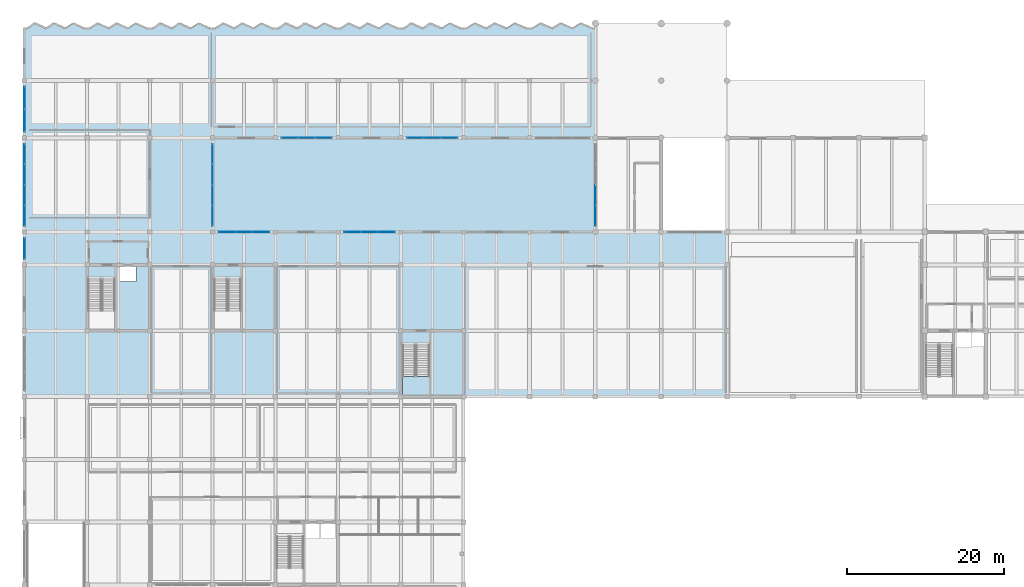
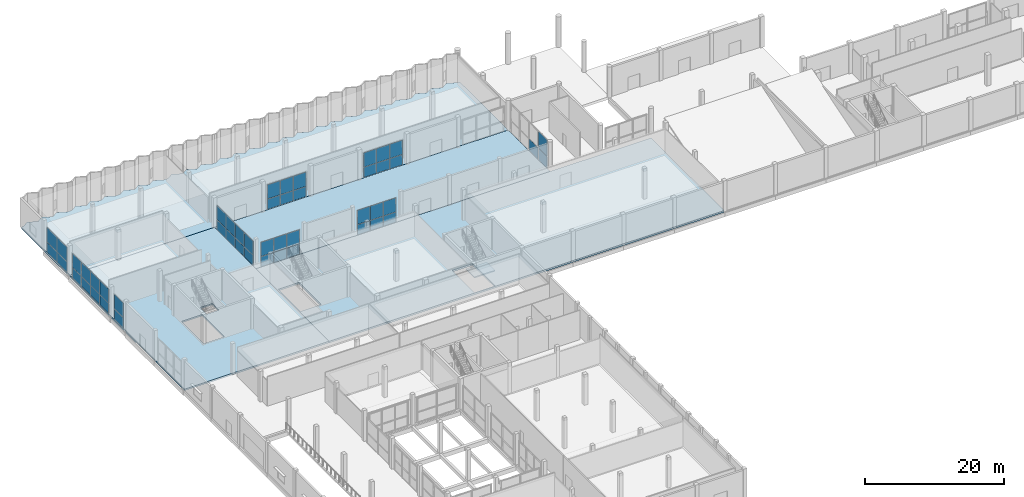
# One storey, part 21 of 41: 49 plates, 5 slabs, 10 elements without a shape of their own.
"""IFC4 building model written with IfcOpenShell, lengths in metres."""

from ifc_helpers import new_model, si_unit, direction, frame, origin, origin_2d, place, context, subcontext, project, spatial, polyline, rectangle, outline, extrude, material, layer, layer_set, type_object, element, aggregate, save


model = new_model("IFC4")

# Units and contexts
model_context = context("Model", 3, precision=1e-05, world=origin(), true_north=direction((0.0, 1.0)))
body_context = subcontext(model_context, "Body", "Model", "MODEL_VIEW")
ifc_project = project(units=[si_unit("LENGTHUNIT", "METRE"), si_unit("AREAUNIT", "SQUARE_METRE"), si_unit("VOLUMEUNIT", "CUBIC_METRE"), si_unit("PLANEANGLEUNIT", "RADIAN"), si_unit("MASSUNIT", "GRAM", prefix="KILO")], contexts=[model_context])

# Site, building, storey
site_placement = place(None, origin())
site = spatial("IfcSite", under=ifc_project, at=site_placement, CompositionType="ELEMENT")
building_placement = place(site_placement, origin())
building = spatial("IfcBuilding", under=site, at=building_placement, Name="Vharandega Faculty of Natural Sciences", CompositionType="ELEMENT")
storey_placement = place(building_placement, origin())
storey = spatial("IfcBuildingStorey", under=building, at=storey_placement, Name="L00", CompositionType="ELEMENT", Elevation=0.0)

# Curtain wall, plates
ifc_material_1 = material(Name="Aluminium and solar-control glass curtain wall", Category="aluminium")
curtain_wall_type_1 = type_object("IfcCurtainWallType", Name="Unitised Curtain Wall System CW-07", PredefinedType="NOTDEFINED", material=ifc_material_1)
curtain_wall_1_placement = place(storey_placement, origin())
curtain_wall_1 = element("IfcCurtainWall", 1, at=curtain_wall_1_placement, inside=storey, type_object=curtain_wall_type_1, Name="Curtain Wall CW-L00-034", PredefinedType="NOTDEFINED")
ifc_material_2 = material(Name="Double-glazed low-E solar glass", Category="glass")
ifc_layer_1 = layer(ifc_material_2, 0.028076171875, Name="Double-glazed low-E solar glass")
ifc_layer_set_1 = layer_set([ifc_layer_1], Name="Double-glazed low-E solar glass")
plate_type = type_object("IfcPlateType", Name="CW Solar Vision Panel 28mm", PredefinedType="CURTAIN_PANEL", material=ifc_layer_set_1)
plate_1_placement = place(storey_placement, frame((0.0, 82.89990234375, 0.06494140625), z_axis=(0.0, 0.0, 1.0), x_axis=(0.0, 1.0, 0.0)))
plate_1 = element("IfcPlate", 2, at=plate_1_placement, type_object=plate_type, Name="CW-07 panel 1.1", PredefinedType="CURTAIN_PANEL", context=body_context, shape_type="SweptSolid", body=[
    extrude(rectangle(XDim=2.580078125, YDim=0.028076171875, at=origin_2d()), origin(), (0.0, 0.0, 1.0), 1.788330078125),
])
plate_2_placement = place(storey_placement, frame((0.0, 82.89990234375, 1.91845703125), z_axis=(0.0, 0.0, 1.0), x_axis=(0.0, 1.0, 0.0)))
plate_2 = element("IfcPlate", 3, at=plate_2_placement, type_object=plate_type, Name="CW-07 panel 1.2", PredefinedType="CURTAIN_PANEL", context=body_context, shape_type="SweptSolid", body=[
    extrude(rectangle(XDim=2.580078125, YDim=0.028076171875, at=origin_2d()), origin(), (0.0, 0.0, 1.0), 2.506591796875),
])
aggregate(curtain_wall_1, [plate_1, plate_2])

ifc_material_3 = material(Name="Aluminium and solar-control glass curtain wall", Category="aluminium")
curtain_wall_type_2 = type_object("IfcCurtainWallType", Name="Unitised Curtain Wall System CW-08", PredefinedType="NOTDEFINED", material=ifc_material_3)
curtain_wall_2_placement = place(storey_placement, origin())
curtain_wall_2 = element("IfcCurtainWall", 4, at=curtain_wall_2_placement, inside=storey, type_object=curtain_wall_type_2, Name="Curtain Wall CW-L00-035", PredefinedType="NOTDEFINED")
plate_3_placement = place(storey_placement, frame((0.0, 87.072509765625, 0.06494140625), z_axis=(0.0, 0.0, 1.0), x_axis=(0.0, 1.0, 0.0)))
plate_3 = element("IfcPlate", 5, at=plate_3_placement, type_object=plate_type, Name="CW-08 panel 1.1", PredefinedType="CURTAIN_PANEL", context=body_context, shape_type="SweptSolid", body=[
    extrude(rectangle(XDim=2.52490234375, YDim=0.028076171875, at=origin_2d()), origin(), (0.0, 0.0, 1.0), 1.746337890625),
])
plate_4_placement = place(storey_placement, frame((0.0, 87.072509765625, 1.876220703125), z_axis=(0.0, 0.0, 1.0), x_axis=(0.0, 1.0, 0.0)))
plate_4 = element("IfcPlate", 6, at=plate_4_placement, type_object=plate_type, Name="CW-08 panel 1.2", PredefinedType="CURTAIN_PANEL", context=body_context, shape_type="SweptSolid", body=[
    extrude(rectangle(XDim=2.52490234375, YDim=0.028076171875, at=origin_2d()), origin(), (0.0, 0.0, 1.0), 2.44873046875),
])
plate_5_placement = place(storey_placement, frame((0.0, 89.68505859375, 0.06494140625), z_axis=(0.0, 0.0, 1.0), x_axis=(0.0, 1.0, 0.0)))
plate_5 = element("IfcPlate", 7, at=plate_5_placement, type_object=plate_type, Name="CW-08 panel 2.1", PredefinedType="CURTAIN_PANEL", context=body_context, shape_type="SweptSolid", body=[
    extrude(rectangle(XDim=2.56005859375, YDim=0.028076171875, at=origin_2d()), origin(), (0.0, 0.0, 1.0), 1.746337890625),
])
plate_6_placement = place(storey_placement, frame((0.0, 89.68505859375, 1.876220703125), z_axis=(0.0, 0.0, 1.0), x_axis=(0.0, 1.0, 0.0)))
plate_6 = element("IfcPlate", 8, at=plate_6_placement, type_object=plate_type, Name="CW-08 panel 2.2", PredefinedType="CURTAIN_PANEL", context=body_context, shape_type="SweptSolid", body=[
    extrude(rectangle(XDim=2.56005859375, YDim=0.028076171875, at=origin_2d()), origin(), (0.0, 0.0, 1.0), 2.44873046875),
])
plate_7_placement = place(storey_placement, frame((0.0, 92.31494140625, 0.06494140625), z_axis=(0.0, 0.0, 1.0), x_axis=(0.0, 1.0, 0.0)))
plate_7 = element("IfcPlate", 9, at=plate_7_placement, type_object=plate_type, Name="CW-08 panel 3.1", PredefinedType="CURTAIN_PANEL", context=body_context, shape_type="SweptSolid", body=[
    extrude(rectangle(XDim=2.56005859375, YDim=0.028076171875, at=origin_2d()), origin(), (0.0, 0.0, 1.0), 1.746337890625),
])
plate_8_placement = place(storey_placement, frame((0.0, 92.31494140625, 1.876220703125), z_axis=(0.0, 0.0, 1.0), x_axis=(0.0, 1.0, 0.0)))
plate_8 = element("IfcPlate", 10, at=plate_8_placement, type_object=plate_type, Name="CW-08 panel 3.2", PredefinedType="CURTAIN_PANEL", context=body_context, shape_type="SweptSolid", body=[
    extrude(rectangle(XDim=2.56005859375, YDim=0.028076171875, at=origin_2d()), origin(), (0.0, 0.0, 1.0), 2.44873046875),
])
plate_9_placement = place(storey_placement, frame((0.0, 94.927490234375, 0.06494140625), z_axis=(0.0, 0.0, 1.0), x_axis=(0.0, 1.0, 0.0)))
plate_9 = element("IfcPlate", 11, at=plate_9_placement, type_object=plate_type, Name="CW-08 panel 4.1", PredefinedType="CURTAIN_PANEL", context=body_context, shape_type="SweptSolid", body=[
    extrude(rectangle(XDim=2.52490234375, YDim=0.028076171875, at=origin_2d()), origin(), (0.0, 0.0, 1.0), 1.746337890625),
])
plate_10_placement = place(storey_placement, frame((0.0, 94.927490234375, 1.876220703125), z_axis=(0.0, 0.0, 1.0), x_axis=(0.0, 1.0, 0.0)))
plate_10 = element("IfcPlate", 12, at=plate_10_placement, type_object=plate_type, Name="CW-08 panel 4.2", PredefinedType="CURTAIN_PANEL", context=body_context, shape_type="SweptSolid", body=[
    extrude(rectangle(XDim=2.52490234375, YDim=0.028076171875, at=origin_2d()), origin(), (0.0, 0.0, 1.0), 2.44873046875),
])
aggregate(curtain_wall_2, [plate_3, plate_4, plate_5, plate_6, plate_7, plate_8, plate_9, plate_10])

ifc_material_4 = material(Name="Aluminium and solar-control glass curtain wall", Category="aluminium")
curtain_wall_type_3 = type_object("IfcCurtainWallType", Name="Unitised Curtain Wall System CW-09", PredefinedType="NOTDEFINED", material=ifc_material_4)
curtain_wall_3_placement = place(storey_placement, origin())
curtain_wall_3 = element("IfcCurtainWall", 13, at=curtain_wall_3_placement, inside=storey, type_object=curtain_wall_type_3, Name="Curtain Wall CW-L00-036", PredefinedType="NOTDEFINED")
plate_11_placement = place(storey_placement, frame((0.0, 99.21240234375, 0.06494140625), z_axis=(0.0, 0.0, 1.0), x_axis=(0.0, 1.0, 0.0)))
plate_11 = element("IfcPlate", 14, at=plate_11_placement, type_object=plate_type, Name="CW-09 panel 1.1", PredefinedType="CURTAIN_PANEL", context=body_context, shape_type="SweptSolid", body=[
    extrude(rectangle(XDim=2.804931640625, YDim=0.028076171875, at=origin_2d()), origin(), (0.0, 0.0, 1.0), 1.788330078125),
])
plate_12_placement = place(storey_placement, frame((0.0, 99.21240234375, 1.91845703125), z_axis=(0.0, 0.0, 1.0), x_axis=(0.0, 1.0, 0.0)))
plate_12 = element("IfcPlate", 15, at=plate_12_placement, type_object=plate_type, Name="CW-09 panel 1.2", PredefinedType="CURTAIN_PANEL", context=body_context, shape_type="SweptSolid", body=[
    extrude(rectangle(XDim=2.804931640625, YDim=0.028076171875, at=origin_2d()), origin(), (0.0, 0.0, 1.0), 2.506591796875),
])
plate_13_placement = place(storey_placement, frame((0.0, 102.08740234375, 0.06494140625), z_axis=(0.0, 0.0, 1.0), x_axis=(0.0, 1.0, 0.0)))
plate_13 = element("IfcPlate", 16, at=plate_13_placement, type_object=plate_type, Name="CW-09 panel 2.1", PredefinedType="CURTAIN_PANEL", context=body_context, shape_type="SweptSolid", body=[
    extrude(rectangle(XDim=2.804931640625, YDim=0.028076171875, at=origin_2d()), origin(), (0.0, 0.0, 1.0), 1.788330078125),
])
plate_14_placement = place(storey_placement, frame((0.0, 102.08740234375, 1.91845703125), z_axis=(0.0, 0.0, 1.0), x_axis=(0.0, 1.0, 0.0)))
plate_14 = element("IfcPlate", 17, at=plate_14_placement, type_object=plate_type, Name="CW-09 panel 2.2", PredefinedType="CURTAIN_PANEL", context=body_context, shape_type="SweptSolid", body=[
    extrude(rectangle(XDim=2.804931640625, YDim=0.028076171875, at=origin_2d()), origin(), (0.0, 0.0, 1.0), 2.506591796875),
])
aggregate(curtain_wall_3, [plate_11, plate_12, plate_13, plate_14])

ifc_material_5 = material(Name="Aluminium and solar-control glass curtain wall", Category="aluminium")
curtain_wall_type_4 = type_object("IfcCurtainWallType", Name="Unitised Curtain Wall System CW-10", PredefinedType="NOTDEFINED", material=ifc_material_5)
curtain_wall_4_placement = place(storey_placement, origin())
curtain_wall_4 = element("IfcCurtainWall", 18, at=curtain_wall_4_placement, inside=storey, type_object=curtain_wall_type_4, Name="Curtain Wall CW-L00-037", PredefinedType="NOTDEFINED")
plate_15_placement = place(storey_placement, frame((33.84423828125, 97.0, 0.06494140625), z_axis=(0.0, 0.0, 1.0), x_axis=(1.0, 0.0, 0.0)))
plate_15 = element("IfcPlate", 19, at=plate_15_placement, type_object=plate_type, Name="CW-10 panel 1.1", PredefinedType="CURTAIN_PANEL", context=body_context, shape_type="SweptSolid", body=[
    extrude(rectangle(XDim=2.068359375, YDim=0.028076171875, at=origin_2d()), origin(), (0.0, 0.0, 1.0), 1.767333984375),
])
plate_16_placement = place(storey_placement, frame((33.84423828125, 97.0, 1.8974609375), z_axis=(0.0, 0.0, 1.0), x_axis=(1.0, 0.0, 0.0)))
plate_16 = element("IfcPlate", 20, at=plate_16_placement, type_object=plate_type, Name="CW-10 panel 1.2", PredefinedType="CURTAIN_PANEL", context=body_context, shape_type="SweptSolid", body=[
    extrude(rectangle(XDim=2.068359375, YDim=0.028076171875, at=origin_2d()), origin(), (0.0, 0.0, 1.0), 2.477783203125),
])
plate_17_placement = place(storey_placement, frame((36.0, 97.0, 0.06494140625), z_axis=(0.0, 0.0, 1.0), x_axis=(1.0, 0.0, 0.0)))
plate_17 = element("IfcPlate", 21, at=plate_17_placement, type_object=plate_type, Name="CW-10 panel 2.1", PredefinedType="CURTAIN_PANEL", context=body_context, shape_type="SweptSolid", body=[
    extrude(rectangle(XDim=2.103271484375, YDim=0.028076171875, at=origin_2d()), origin(), (0.0, 0.0, 1.0), 1.767333984375),
])
plate_18_placement = place(storey_placement, frame((36.0, 97.0, 1.8974609375), z_axis=(0.0, 0.0, 1.0), x_axis=(1.0, 0.0, 0.0)))
plate_18 = element("IfcPlate", 22, at=plate_18_placement, type_object=plate_type, Name="CW-10 panel 2.2", PredefinedType="CURTAIN_PANEL", context=body_context, shape_type="SweptSolid", body=[
    extrude(rectangle(XDim=2.103271484375, YDim=0.028076171875, at=origin_2d()), origin(), (0.0, 0.0, 1.0), 2.477783203125),
])
plate_19_placement = place(storey_placement, frame((38.15576171875, 97.0, 0.06494140625), z_axis=(0.0, 0.0, 1.0), x_axis=(1.0, 0.0, 0.0)))
plate_19 = element("IfcPlate", 23, at=plate_19_placement, type_object=plate_type, Name="CW-10 panel 3.1", PredefinedType="CURTAIN_PANEL", context=body_context, shape_type="SweptSolid", body=[
    extrude(rectangle(XDim=2.068359375, YDim=0.028076171875, at=origin_2d()), origin(), (0.0, 0.0, 1.0), 1.767333984375),
])
plate_20_placement = place(storey_placement, frame((38.15576171875, 97.0, 1.8974609375), z_axis=(0.0, 0.0, 1.0), x_axis=(1.0, 0.0, 0.0)))
plate_20 = element("IfcPlate", 24, at=plate_20_placement, type_object=plate_type, Name="CW-10 panel 3.2", PredefinedType="CURTAIN_PANEL", context=body_context, shape_type="SweptSolid", body=[
    extrude(rectangle(XDim=2.068359375, YDim=0.028076171875, at=origin_2d()), origin(), (0.0, 0.0, 1.0), 2.477783203125),
])
aggregate(curtain_wall_4, [plate_15, plate_16, plate_17, plate_18, plate_19, plate_20])

ifc_material_6 = material(Name="Aluminium and solar-control glass curtain wall", Category="aluminium")
curtain_wall_type_5 = type_object("IfcCurtainWallType", Name="Unitised Curtain Wall System CW-11", PredefinedType="NOTDEFINED", material=ifc_material_6)
curtain_wall_5_placement = place(storey_placement, origin())
curtain_wall_5 = element("IfcCurtainWall", 25, at=curtain_wall_5_placement, inside=storey, type_object=curtain_wall_type_5, Name="Curtain Wall CW-L00-038", PredefinedType="NOTDEFINED")
plate_21_placement = place(storey_placement, frame((49.84423828125, 97.0, 0.06494140625), z_axis=(0.0, 0.0, 1.0), x_axis=(1.0, 0.0, 0.0)))
plate_21 = element("IfcPlate", 26, at=plate_21_placement, type_object=plate_type, Name="CW-11 panel 1.1", PredefinedType="CURTAIN_PANEL", context=body_context, shape_type="SweptSolid", body=[
    extrude(rectangle(XDim=2.068359375, YDim=0.028076171875, at=origin_2d()), origin(), (0.0, 0.0, 1.0), 1.767333984375),
])
plate_22_placement = place(storey_placement, frame((49.84423828125, 97.0, 1.8974609375), z_axis=(0.0, 0.0, 1.0), x_axis=(1.0, 0.0, 0.0)))
plate_22 = element("IfcPlate", 27, at=plate_22_placement, type_object=plate_type, Name="CW-11 panel 1.2", PredefinedType="CURTAIN_PANEL", context=body_context, shape_type="SweptSolid", body=[
    extrude(rectangle(XDim=2.068359375, YDim=0.028076171875, at=origin_2d()), origin(), (0.0, 0.0, 1.0), 2.477783203125),
])
plate_23_placement = place(storey_placement, frame((52.0, 97.0, 0.06494140625), z_axis=(0.0, 0.0, 1.0), x_axis=(1.0, 0.0, 0.0)))
plate_23 = element("IfcPlate", 28, at=plate_23_placement, type_object=plate_type, Name="CW-11 panel 2.1", PredefinedType="CURTAIN_PANEL", context=body_context, shape_type="SweptSolid", body=[
    extrude(rectangle(XDim=2.103271484375, YDim=0.028076171875, at=origin_2d()), origin(), (0.0, 0.0, 1.0), 1.767333984375),
])
plate_24_placement = place(storey_placement, frame((52.0, 97.0, 1.8974609375), z_axis=(0.0, 0.0, 1.0), x_axis=(1.0, 0.0, 0.0)))
plate_24 = element("IfcPlate", 29, at=plate_24_placement, type_object=plate_type, Name="CW-11 panel 2.2", PredefinedType="CURTAIN_PANEL", context=body_context, shape_type="SweptSolid", body=[
    extrude(rectangle(XDim=2.103271484375, YDim=0.028076171875, at=origin_2d()), origin(), (0.0, 0.0, 1.0), 2.477783203125),
])
plate_25_placement = place(storey_placement, frame((54.15576171875, 97.0, 0.06494140625), z_axis=(0.0, 0.0, 1.0), x_axis=(1.0, 0.0, 0.0)))
plate_25 = element("IfcPlate", 30, at=plate_25_placement, type_object=plate_type, Name="CW-11 panel 3.1", PredefinedType="CURTAIN_PANEL", context=body_context, shape_type="SweptSolid", body=[
    extrude(rectangle(XDim=2.068359375, YDim=0.028076171875, at=origin_2d()), origin(), (0.0, 0.0, 1.0), 1.767333984375),
])
plate_26_placement = place(storey_placement, frame((54.15576171875, 97.0, 1.8974609375), z_axis=(0.0, 0.0, 1.0), x_axis=(1.0, 0.0, 0.0)))
plate_26 = element("IfcPlate", 31, at=plate_26_placement, type_object=plate_type, Name="CW-11 panel 3.2", PredefinedType="CURTAIN_PANEL", context=body_context, shape_type="SweptSolid", body=[
    extrude(rectangle(XDim=2.068359375, YDim=0.028076171875, at=origin_2d()), origin(), (0.0, 0.0, 1.0), 2.477783203125),
])
aggregate(curtain_wall_5, [plate_21, plate_22, plate_23, plate_24, plate_25, plate_26])

ifc_material_7 = material(Name="Aluminium and solar-control glass curtain wall", Category="aluminium")
curtain_wall_type_6 = type_object("IfcCurtainWallType", Name="Unitised Curtain Wall System CW-13", PredefinedType="NOTDEFINED", material=ifc_material_7)
curtain_wall_6_placement = place(storey_placement, origin())
curtain_wall_6 = element("IfcCurtainWall", 32, at=curtain_wall_6_placement, inside=storey, type_object=curtain_wall_type_6, Name="Curtain Wall CW-L00-040", PredefinedType="NOTDEFINED")
plate_27_placement = place(storey_placement, frame((24.0, 87.072509765625, 0.06494140625), z_axis=(0.0, 0.0, 1.0), x_axis=(0.0, 1.0, 0.0)))
plate_27 = element("IfcPlate", 33, at=plate_27_placement, type_object=plate_type, Name="CW-13 panel 1.1", PredefinedType="CURTAIN_PANEL", context=body_context, shape_type="SweptSolid", body=[
    extrude(rectangle(XDim=2.52490234375, YDim=0.028076171875, at=origin_2d()), origin(), (0.0, 0.0, 1.0), 1.746337890625),
])
plate_28_placement = place(storey_placement, frame((24.0, 87.072509765625, 1.876220703125), z_axis=(0.0, 0.0, 1.0), x_axis=(0.0, 1.0, 0.0)))
plate_28 = element("IfcPlate", 34, at=plate_28_placement, type_object=plate_type, Name="CW-13 panel 1.2", PredefinedType="CURTAIN_PANEL", context=body_context, shape_type="SweptSolid", body=[
    extrude(rectangle(XDim=2.52490234375, YDim=0.028076171875, at=origin_2d()), origin(), (0.0, 0.0, 1.0), 2.44873046875),
])
plate_29_placement = place(storey_placement, frame((24.0, 89.68505859375, 0.06494140625), z_axis=(0.0, 0.0, 1.0), x_axis=(0.0, 1.0, 0.0)))
plate_29 = element("IfcPlate", 35, at=plate_29_placement, type_object=plate_type, Name="CW-13 panel 2.1", PredefinedType="CURTAIN_PANEL", context=body_context, shape_type="SweptSolid", body=[
    extrude(rectangle(XDim=2.56005859375, YDim=0.028076171875, at=origin_2d()), origin(), (0.0, 0.0, 1.0), 1.746337890625),
])
plate_30_placement = place(storey_placement, frame((24.0, 89.68505859375, 1.876220703125), z_axis=(0.0, 0.0, 1.0), x_axis=(0.0, 1.0, 0.0)))
plate_30 = element("IfcPlate", 36, at=plate_30_placement, type_object=plate_type, Name="CW-13 panel 2.2", PredefinedType="CURTAIN_PANEL", context=body_context, shape_type="SweptSolid", body=[
    extrude(rectangle(XDim=2.56005859375, YDim=0.028076171875, at=origin_2d()), origin(), (0.0, 0.0, 1.0), 2.44873046875),
])
plate_31_placement = place(storey_placement, frame((24.0, 92.31494140625, 0.06494140625), z_axis=(0.0, 0.0, 1.0), x_axis=(0.0, 1.0, 0.0)))
plate_31 = element("IfcPlate", 37, at=plate_31_placement, type_object=plate_type, Name="CW-13 panel 3.1", PredefinedType="CURTAIN_PANEL", context=body_context, shape_type="SweptSolid", body=[
    extrude(rectangle(XDim=2.56005859375, YDim=0.028076171875, at=origin_2d()), origin(), (0.0, 0.0, 1.0), 1.746337890625),
])
plate_32_placement = place(storey_placement, frame((24.0, 92.31494140625, 1.876220703125), z_axis=(0.0, 0.0, 1.0), x_axis=(0.0, 1.0, 0.0)))
plate_32 = element("IfcPlate", 38, at=plate_32_placement, type_object=plate_type, Name="CW-13 panel 3.2", PredefinedType="CURTAIN_PANEL", context=body_context, shape_type="SweptSolid", body=[
    extrude(rectangle(XDim=2.56005859375, YDim=0.028076171875, at=origin_2d()), origin(), (0.0, 0.0, 1.0), 2.44873046875),
])
plate_33_placement = place(storey_placement, frame((24.0, 94.927490234375, 0.06494140625), z_axis=(0.0, 0.0, 1.0), x_axis=(0.0, 1.0, 0.0)))
plate_33 = element("IfcPlate", 39, at=plate_33_placement, type_object=plate_type, Name="CW-13 panel 4.1", PredefinedType="CURTAIN_PANEL", context=body_context, shape_type="SweptSolid", body=[
    extrude(rectangle(XDim=2.52490234375, YDim=0.028076171875, at=origin_2d()), origin(), (0.0, 0.0, 1.0), 1.746337890625),
])
plate_34_placement = place(storey_placement, frame((24.0, 94.927490234375, 1.876220703125), z_axis=(0.0, 0.0, 1.0), x_axis=(0.0, 1.0, 0.0)))
plate_34 = element("IfcPlate", 40, at=plate_34_placement, type_object=plate_type, Name="CW-13 panel 4.2", PredefinedType="CURTAIN_PANEL", context=body_context, shape_type="SweptSolid", body=[
    extrude(rectangle(XDim=2.52490234375, YDim=0.028076171875, at=origin_2d()), origin(), (0.0, 0.0, 1.0), 2.44873046875),
])
aggregate(curtain_wall_6, [plate_27, plate_28, plate_29, plate_30, plate_31, plate_32, plate_33, plate_34])

ifc_material_8 = material(Name="Aluminium and solar-control glass curtain wall", Category="aluminium")
curtain_wall_type_7 = type_object("IfcCurtainWallType", Name="Unitised Curtain Wall System CW-19", PredefinedType="NOTDEFINED", material=ifc_material_8)
curtain_wall_7_placement = place(storey_placement, origin())
curtain_wall_7 = element("IfcCurtainWall", 41, at=curtain_wall_7_placement, inside=storey, type_object=curtain_wall_type_7, Name="Curtain Wall CW-L00-074", PredefinedType="NOTDEFINED")
plate_35_placement = place(storey_placement, frame((72.800048828125, 87.072509765625, 0.06494140625), z_axis=(0.0, 0.0, 1.0), x_axis=(0.0, 1.0, 0.0)))
plate_35 = element("IfcPlate", 42, at=plate_35_placement, type_object=plate_type, Name="CW-19 panel 1.1", PredefinedType="CURTAIN_PANEL", context=body_context, shape_type="SweptSolid", body=[
    extrude(rectangle(XDim=2.52490234375, YDim=0.028076171875, at=origin_2d()), origin(), (0.0, 0.0, 1.0), 2.04443359375),
])
plate_36_placement = place(storey_placement, frame((72.800048828125, 87.072509765625, 2.17431640625), z_axis=(0.0, 0.0, 1.0), x_axis=(0.0, 1.0, 0.0)))
plate_36 = element("IfcPlate", 43, at=plate_36_placement, type_object=plate_type, Name="CW-19 panel 1.2", PredefinedType="CURTAIN_PANEL", context=body_context, shape_type="SweptSolid", body=[
    extrude(rectangle(XDim=2.52490234375, YDim=0.028076171875, at=origin_2d()), origin(), (0.0, 0.0, 1.0), 2.860595703125),
])
plate_37_placement = place(storey_placement, frame((72.800048828125, 89.68505859375, 0.06494140625), z_axis=(0.0, 0.0, 1.0), x_axis=(0.0, 1.0, 0.0)))
plate_37 = element("IfcPlate", 44, at=plate_37_placement, type_object=plate_type, Name="CW-19 panel 2.1", PredefinedType="CURTAIN_PANEL", context=body_context, shape_type="SweptSolid", body=[
    extrude(rectangle(XDim=2.56005859375, YDim=0.028076171875, at=origin_2d()), origin(), (0.0, 0.0, 1.0), 2.04443359375),
])
aggregate(curtain_wall_7, [plate_35, plate_36, plate_37])

ifc_material_9 = material(Name="Aluminium and solar-control glass curtain wall", Category="aluminium")
curtain_wall_type_8 = type_object("IfcCurtainWallType", Name="Unitised Curtain Wall System CW-20", PredefinedType="NOTDEFINED", material=ifc_material_9)
curtain_wall_8_placement = place(storey_placement, origin())
curtain_wall_8 = element("IfcCurtainWall", 45, at=curtain_wall_8_placement, inside=storey, type_object=curtain_wall_type_8, Name="Curtain Wall CW-L00-075", PredefinedType="NOTDEFINED")
plate_38_placement = place(storey_placement, frame((25.84423828125, 85.0, 0.06494140625), z_axis=(0.0, 0.0, 1.0), x_axis=(1.0, 0.0, 0.0)))
plate_38 = element("IfcPlate", 46, at=plate_38_placement, type_object=plate_type, Name="CW-20 panel 1.1", PredefinedType="CURTAIN_PANEL", context=body_context, shape_type="SweptSolid", body=[
    extrude(rectangle(XDim=2.068359375, YDim=0.028076171875, at=origin_2d()), origin(), (0.0, 0.0, 1.0), 1.7587890625),
])
plate_39_placement = place(storey_placement, frame((25.84423828125, 85.0, 1.88916015625), z_axis=(0.0, 0.0, 1.0), x_axis=(1.0, 0.0, 0.0)))
plate_39 = element("IfcPlate", 47, at=plate_39_placement, type_object=plate_type, Name="CW-20 panel 1.2", PredefinedType="CURTAIN_PANEL", context=body_context, shape_type="SweptSolid", body=[
    extrude(rectangle(XDim=2.068359375, YDim=0.028076171875, at=origin_2d()), origin(), (0.0, 0.0, 1.0), 2.466064453125),
])
plate_40_placement = place(storey_placement, frame((28.0, 85.0, 0.06494140625), z_axis=(0.0, 0.0, 1.0), x_axis=(1.0, 0.0, 0.0)))
plate_40 = element("IfcPlate", 48, at=plate_40_placement, type_object=plate_type, Name="CW-20 panel 2.1", PredefinedType="CURTAIN_PANEL", context=body_context, shape_type="SweptSolid", body=[
    extrude(rectangle(XDim=2.103271484375, YDim=0.028076171875, at=origin_2d()), origin(), (0.0, 0.0, 1.0), 1.7587890625),
])
plate_41_placement = place(storey_placement, frame((28.0, 85.0, 1.88916015625), z_axis=(0.0, 0.0, 1.0), x_axis=(1.0, 0.0, 0.0)))
plate_41 = element("IfcPlate", 49, at=plate_41_placement, type_object=plate_type, Name="CW-20 panel 2.2", PredefinedType="CURTAIN_PANEL", context=body_context, shape_type="SweptSolid", body=[
    extrude(rectangle(XDim=2.103271484375, YDim=0.028076171875, at=origin_2d()), origin(), (0.0, 0.0, 1.0), 2.466064453125),
])
plate_42_placement = place(storey_placement, frame((30.15576171875, 85.0, 0.06494140625), z_axis=(0.0, 0.0, 1.0), x_axis=(1.0, 0.0, 0.0)))
plate_42 = element("IfcPlate", 50, at=plate_42_placement, type_object=plate_type, Name="CW-20 panel 3.1", PredefinedType="CURTAIN_PANEL", context=body_context, shape_type="SweptSolid", body=[
    extrude(rectangle(XDim=2.068359375, YDim=0.028076171875, at=origin_2d()), origin(), (0.0, 0.0, 1.0), 1.7587890625),
])
plate_43_placement = place(storey_placement, frame((30.15576171875, 85.0, 1.88916015625), z_axis=(0.0, 0.0, 1.0), x_axis=(1.0, 0.0, 0.0)))
plate_43 = element("IfcPlate", 51, at=plate_43_placement, type_object=plate_type, Name="CW-20 panel 3.2", PredefinedType="CURTAIN_PANEL", context=body_context, shape_type="SweptSolid", body=[
    extrude(rectangle(XDim=2.068359375, YDim=0.028076171875, at=origin_2d()), origin(), (0.0, 0.0, 1.0), 2.466064453125),
])
aggregate(curtain_wall_8, [plate_38, plate_39, plate_40, plate_41, plate_42, plate_43])

ifc_material_10 = material(Name="Aluminium and solar-control glass curtain wall", Category="aluminium")
curtain_wall_type_9 = type_object("IfcCurtainWallType", Name="Unitised Curtain Wall System CW-21", PredefinedType="NOTDEFINED", material=ifc_material_10)
curtain_wall_9_placement = place(storey_placement, origin())
curtain_wall_9 = element("IfcCurtainWall", 52, at=curtain_wall_9_placement, inside=storey, type_object=curtain_wall_type_9, Name="Curtain Wall CW-L00-076", PredefinedType="NOTDEFINED")
plate_44_placement = place(storey_placement, frame((41.84423828125, 85.0, 0.06494140625), z_axis=(0.0, 0.0, 1.0), x_axis=(1.0, 0.0, 0.0)))
plate_44 = element("IfcPlate", 53, at=plate_44_placement, type_object=plate_type, Name="CW-21 panel 1.1", PredefinedType="CURTAIN_PANEL", context=body_context, shape_type="SweptSolid", body=[
    extrude(rectangle(XDim=2.068359375, YDim=0.028076171875, at=origin_2d()), origin(), (0.0, 0.0, 1.0), 1.7587890625),
])
plate_45_placement = place(storey_placement, frame((41.84423828125, 85.0, 1.88916015625), z_axis=(0.0, 0.0, 1.0), x_axis=(1.0, 0.0, 0.0)))
plate_45 = element("IfcPlate", 54, at=plate_45_placement, type_object=plate_type, Name="CW-21 panel 1.2", PredefinedType="CURTAIN_PANEL", context=body_context, shape_type="SweptSolid", body=[
    extrude(rectangle(XDim=2.068359375, YDim=0.028076171875, at=origin_2d()), origin(), (0.0, 0.0, 1.0), 2.466064453125),
])
plate_46_placement = place(storey_placement, frame((44.0, 85.0, 0.06494140625), z_axis=(0.0, 0.0, 1.0), x_axis=(1.0, 0.0, 0.0)))
plate_46 = element("IfcPlate", 55, at=plate_46_placement, type_object=plate_type, Name="CW-21 panel 2.1", PredefinedType="CURTAIN_PANEL", context=body_context, shape_type="SweptSolid", body=[
    extrude(rectangle(XDim=2.103271484375, YDim=0.028076171875, at=origin_2d()), origin(), (0.0, 0.0, 1.0), 1.7587890625),
])
plate_47_placement = place(storey_placement, frame((44.0, 85.0, 1.88916015625), z_axis=(0.0, 0.0, 1.0), x_axis=(1.0, 0.0, 0.0)))
plate_47 = element("IfcPlate", 56, at=plate_47_placement, type_object=plate_type, Name="CW-21 panel 2.2", PredefinedType="CURTAIN_PANEL", context=body_context, shape_type="SweptSolid", body=[
    extrude(rectangle(XDim=2.103271484375, YDim=0.028076171875, at=origin_2d()), origin(), (0.0, 0.0, 1.0), 2.466064453125),
])
plate_48_placement = place(storey_placement, frame((46.15576171875, 85.0, 0.06494140625), z_axis=(0.0, 0.0, 1.0), x_axis=(1.0, 0.0, 0.0)))
plate_48 = element("IfcPlate", 57, at=plate_48_placement, type_object=plate_type, Name="CW-21 panel 3.1", PredefinedType="CURTAIN_PANEL", context=body_context, shape_type="SweptSolid", body=[
    extrude(rectangle(XDim=2.068359375, YDim=0.028076171875, at=origin_2d()), origin(), (0.0, 0.0, 1.0), 1.7587890625),
])
plate_49_placement = place(storey_placement, frame((46.15576171875, 85.0, 1.88916015625), z_axis=(0.0, 0.0, 1.0), x_axis=(1.0, 0.0, 0.0)))
plate_49 = element("IfcPlate", 58, at=plate_49_placement, type_object=plate_type, Name="CW-21 panel 3.2", PredefinedType="CURTAIN_PANEL", context=body_context, shape_type="SweptSolid", body=[
    extrude(rectangle(XDim=2.068359375, YDim=0.028076171875, at=origin_2d()), origin(), (0.0, 0.0, 1.0), 2.466064453125),
])
aggregate(curtain_wall_9, [plate_44, plate_45, plate_46, plate_47, plate_48, plate_49])

# Slabs
ifc_material_11 = material(Name="Concrete C35/45", Category="concrete")
ifc_layer_2 = layer(ifc_material_11, 0.449951171875, Name="Concrete C35/45")
ifc_layer_set_2 = layer_set([ifc_layer_2], Name="Concrete C35/45")
slab_type_1 = type_object("IfcSlabType", Name="SLAB-BASE-450", PredefinedType="BASESLAB", material=ifc_layer_set_2)
slab_1_placement = place(storey_placement, frame((0.0, 0.0, -0.449951171875)))
element("IfcSlab", 59, at=slab_1_placement, inside=storey, type_object=slab_type_1, Name="Ground Forecourt Paving APR-COURT", PredefinedType="BASESLAB", context=body_context, shape_type="SweptSolid", body=[
    extrude(outline(polyline([(24.0, 85.0), (72.800048828125, 85.0), (72.800048828125, 97.0), (24.0, 97.0), (24.0, 85.0)])), origin(), (0.0, 0.0, 1.0), 0.449951171875),
])
ifc_material_12 = material(Name="Concrete C40/50", Category="concrete")
ifc_layer_3 = layer(ifc_material_12, 0.280029296875, Name="Concrete C40/50")
ifc_layer_set_3 = layer_set([ifc_layer_3], Name="Concrete C40/50")
slab_type_2 = type_object("IfcSlabType", Name="SLAB-RC-280", PredefinedType="FLOOR", material=ifc_layer_set_3)
slab_2_placement = place(storey_placement, frame((0.0, 0.0, -0.280029296875)))
element("IfcSlab", 60, at=slab_2_placement, inside=storey, type_object=slab_type_2, Name="L00 V2 Floor Slab", PredefinedType="FLOOR", context=body_context, shape_type="SweptSolid", body=[
    extrude(outline(polyline([(0.0, 64.0), (24.0, 64.0), (24.0, 97.0), (0.0, 97.0), (0.0, 64.0)]), holes=[polyline([(8.139892578125, 78.945068359375), (8.139892578125, 72.5400390625), (11.56005859375, 72.5400390625), (11.56005859375, 78.945068359375), (8.139892578125, 78.945068359375)]), polyline([(12.199951171875, 78.699951171875), (14.199951171875, 78.699951171875), (14.199951171875, 80.6201171875), (12.199951171875, 80.6201171875), (12.199951171875, 78.699951171875)])]), origin(), (0.0, 0.0, 1.0), 0.280029296875),
])
slab_3_placement = place(storey_placement, frame((0.0, 0.0, -0.280029296875)))
element("IfcSlab", 61, at=slab_3_placement, inside=storey, type_object=slab_type_2, Name="L00 V2 Floor Slab", PredefinedType="FLOOR", context=body_context, shape_type="SweptSolid", body=[
    extrude(outline(polyline([(0.0, 97.0), (72.800048828125, 97.0), (72.800048828125, 110.949951171875), (72.43994140625, 110.949951171875), (70.904052734375, 111.60009765625), (69.8798828125, 110.949951171875), (69.8798828125, 110.949951171875), (68.343994140625, 111.60009765625), (67.320068359375, 110.949951171875), (67.320068359375, 110.949951171875), (65.783935546875, 111.60009765625), (64.760009765625, 110.949951171875), (64.0400390625, 110.949951171875), (62.50390625, 111.60009765625), (61.47998046875, 110.949951171875), (61.47998046875, 110.949951171875), (59.944091796875, 111.60009765625), (58.919921875, 110.949951171875), (58.919921875, 110.949951171875), (57.384033203125, 111.60009765625), (56.360107421875, 110.949951171875), (55.639892578125, 110.949951171875), (54.18408203125, 111.60009765625), (53.21337890625, 110.949951171875), (53.21337890625, 110.949951171875), (51.75732421875, 111.60009765625), (50.78662109375, 110.949951171875), (50.78662109375, 110.949951171875), (49.330810546875, 111.60009765625), (48.360107421875, 110.949951171875), (47.639892578125, 110.949951171875), (46.18408203125, 111.60009765625), (45.21337890625, 110.949951171875), (45.21337890625, 110.949951171875), (43.75732421875, 111.60009765625), (42.78662109375, 110.949951171875), (42.78662109375, 110.949951171875), (41.330810546875, 111.60009765625), (40.360107421875, 110.949951171875), (39.639892578125, 110.949951171875), (38.18408203125, 111.60009765625), (37.21337890625, 110.949951171875), (37.21337890625, 110.949951171875), (35.75732421875, 111.60009765625), (34.78662109375, 110.949951171875), (34.78662109375, 110.949951171875), (33.330810546875, 111.60009765625), (32.360107421875, 110.949951171875), (31.639892578125, 110.949951171875), (30.18408203125, 111.60009765625), (29.21337890625, 110.949951171875), (29.21337890625, 110.949951171875), (27.75732421875, 111.60009765625), (26.78662109375, 110.949951171875), (26.78662109375, 110.949951171875), (25.330810546875, 111.60009765625), (24.360107421875, 110.949951171875), (23.639892578125, 110.949951171875), (22.18408203125, 111.60009765625), (21.21337890625, 110.949951171875), (21.21337890625, 110.949951171875), (19.75732421875, 111.60009765625), (18.78662109375, 110.949951171875), (18.78662109375, 110.949951171875), (17.330810546875, 111.60009765625), (16.360107421875, 110.949951171875), (15.639892578125, 110.949951171875), (14.18408203125, 111.60009765625), (13.21337890625, 110.949951171875), (13.21337890625, 110.949951171875), (11.75732421875, 111.60009765625), (10.78662109375, 110.949951171875), (10.78662109375, 110.949951171875), (9.330810546875, 111.60009765625), (8.360107421875, 110.949951171875), (7.639892578125, 110.949951171875), (6.18408203125, 111.60009765625), (5.21337890625, 110.949951171875), (5.21337890625, 110.949951171875), (3.75732421875, 111.60009765625), (2.78662109375, 110.949951171875), (2.78662109375, 110.949951171875), (1.330810546875, 111.60009765625), (0.360107421875, 110.949951171875), (0.0, 110.949951171875), (0.0, 97.0)])), origin(), (0.0, 0.0, 1.0), 0.280029296875),
])
ifc_material_13 = material(Name="Concrete C40/50", Category="concrete")
ifc_layer_4 = layer(ifc_material_13, 0.300048828125, Name="Concrete C40/50")
ifc_layer_set_4 = layer_set([ifc_layer_4], Name="Concrete C40/50")
slab_type_3 = type_object("IfcSlabType", Name="SLAB-RC-300", PredefinedType="FLOOR", material=ifc_layer_set_4)
slab_4_placement = place(storey_placement, frame((0.0, 0.0, -0.300048828125)))
element("IfcSlab", 62, at=slab_4_placement, inside=storey, type_object=slab_type_3, Name="L00 V3 Floor Slab", PredefinedType="FLOOR", context=body_context, shape_type="SweptSolid", body=[
    extrude(outline(polyline([(24.0, 64.0), (89.60009765625, 64.0), (89.60009765625, 85.0), (24.0, 85.0), (24.0, 64.0)]), holes=[polyline([(48.199951171875, 70.544921875), (48.199951171875, 64.139892578125), (51.6201171875, 64.139892578125), (51.6201171875, 70.544921875), (48.199951171875, 70.544921875)]), polyline([(24.199951171875, 78.945068359375), (24.199951171875, 72.5400390625), (27.6201171875, 72.5400390625), (27.6201171875, 78.945068359375), (24.199951171875, 78.945068359375)])]), origin(), (0.0, 0.0, 1.0), 0.300048828125),
])

# Stair, slab
ifc_material_14 = material(Name="Concrete C40/50", Category="concrete")
stair_type = type_object("IfcStairType", Name="Escape Dog-Leg Stair W165 H540", PredefinedType="HALF_TURN_STAIR", material=ifc_material_14)
stair_placement = place(storey_placement, origin())
stair = element("IfcStair", 63, at=stair_placement, inside=storey, type_object=stair_type, Name="L00 Escape Stair ST5", PredefinedType="HALF_TURN_STAIR")
ifc_material_15 = material(Name="Concrete C40/50", Category="concrete")
ifc_layer_5 = layer(ifc_material_15, 0.199951171875, Name="Concrete C40/50")
ifc_layer_set_5 = layer_set([ifc_layer_5], Name="Concrete C40/50")
slab_type_4 = type_object("IfcSlabType", Name="Stair Half-Landing Slab 200", PredefinedType="LANDING", material=ifc_layer_set_5)
slab_5_placement = place(storey_placement, frame((0.0, 0.0, 2.5)))
slab_5 = element("IfcSlab", 64, at=slab_5_placement, type_object=slab_type_4, Name="ST5 landing 1", PredefinedType="LANDING", context=body_context, shape_type="SweptSolid", body=[
    extrude(outline(polyline([(48.199951171875, 66.550048828125), (48.199951171875, 64.139892578125), (51.6201171875, 64.139892578125), (51.6201171875, 66.550048828125), (48.199951171875, 66.550048828125)])), origin(), (0.0, 0.0, 1.0), 0.199951171875),
])
aggregate(stair, [slab_5])

save(model, "model.ifc")
